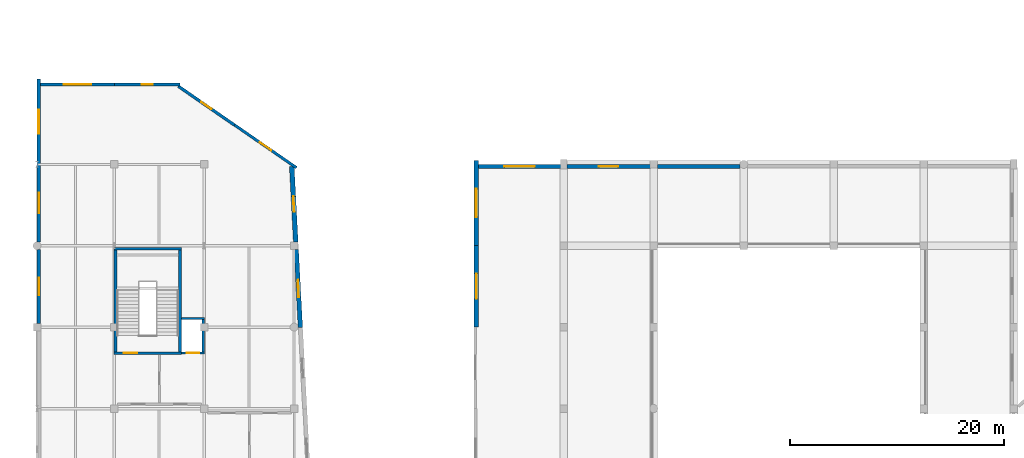
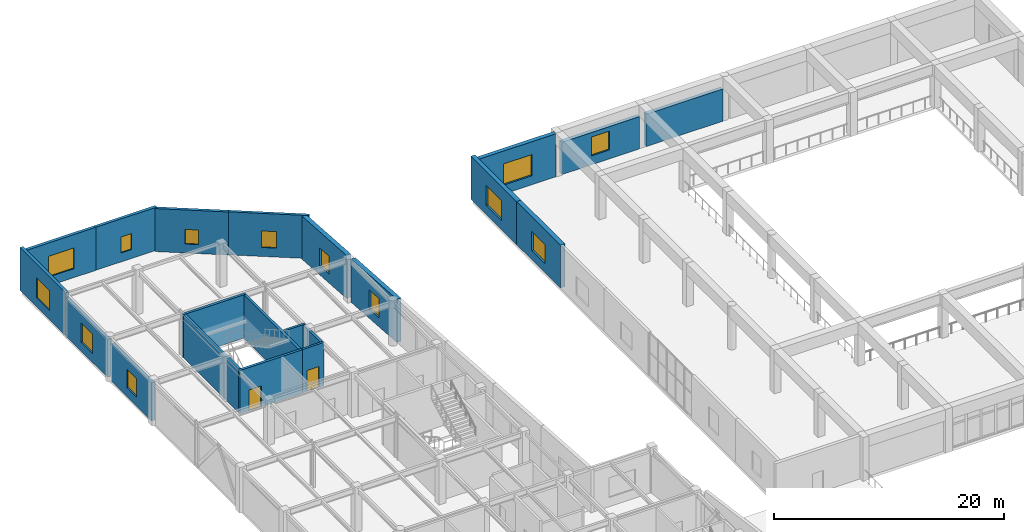
# One storey, part 65 of 72: 21 walls, 13 windows, 2 doors, 15 openings.
"""IFC4 building model written with IfcOpenShell, lengths in metres."""

from ifc_helpers import new_model, si_unit, direction, frame, frame_2d, origin, place, context, subcontext, project, spatial, rectangle, extrude, material, layer, layer_set, type_object, element, fill, save


model = new_model("IFC4")

# Units and contexts
model_context = context("Model", 3, precision=1e-05, world=origin(), true_north=direction((0.0, 1.0)))
body_context = subcontext(model_context, "Body", "Model", "MODEL_VIEW")
ifc_project = project(units=[si_unit("LENGTHUNIT", "METRE"), si_unit("AREAUNIT", "SQUARE_METRE"), si_unit("VOLUMEUNIT", "CUBIC_METRE"), si_unit("PLANEANGLEUNIT", "RADIAN"), si_unit("MASSUNIT", "GRAM", prefix="KILO")], contexts=[model_context])

# Site, building, storey
site_placement = place(None, origin())
site = spatial("IfcSite", under=ifc_project, at=site_placement, CompositionType="ELEMENT")
building_placement = place(site_placement, origin())
building = spatial("IfcBuilding", under=site, at=building_placement, Name="Xicomal Pleat Aquarium", CompositionType="ELEMENT")
storey_placement = place(building_placement, frame((0.0, 0.0, 10.5)))
storey = spatial("IfcBuildingStorey", under=building, at=storey_placement, Name="L03", CompositionType="ELEMENT", Elevation=10.5)

# Wall, opening, door
ifc_material_1 = material(Name="Concrete C40/50", Category="concrete")
ifc_layer_1 = layer(ifc_material_1, 0.219970703125)
ifc_layer_set_1 = layer_set([ifc_layer_1], Name="Concrete C40/50")
wall_type_1 = type_object("IfcWallType", Name="WAL-COR-220", PredefinedType="SHEAR", material=ifc_layer_set_1)
wall_1_placement = place(storey_placement, frame((16.5, 65.989990234375, 0.0), z_axis=(0.0, 0.0, 1.0), x_axis=(1.0, 0.0, 0.0)))
wall_1 = element("IfcWall", 1, at=wall_1_placement, inside=storey, type_object=wall_type_1, Name="L03 LF-03 lift shaft wall CW-L03-C3-LS", PredefinedType="SHEAR", context=body_context, shape_type="SweptSolid", body=[
    extrude(rectangle(XDim=2.1201171875, YDim=0.219970703125, at=frame_2d((1.06005859375, 0.0))), origin(), (0.0, 0.0, 1.0), 4.590087890625),
])
opening_1_placement = place(wall_1_placement, frame((0.4599609375, 0.0, 0.0)))
opening_1 = element("IfcOpeningElement", 2, at=opening_1_placement, cuts=wall_1, Name="Opening LD-03-L03", PredefinedType="OPENING", context=body_context, shape_type="SweptSolid", body=[
    extrude(rectangle(XDim=1.199951171875, YDim=2.199951171875, at=frame_2d((0.60009765625, 1.10009765625))), frame((0.0, 0.119873046875, 0.0), z_axis=(0.0, -1.0, 0.0), x_axis=(1.0, 0.0, 0.0)), (0.0, 0.0, 1.0), 0.239990234375),
])
ifc_material_2 = material(Name="Brushed stainless steel 304", Category="steel")
door_type_1 = type_object("IfcDoorType", Name="DOR-LD-1200x2200", OperationType="DOUBLE_DOOR_SLIDING", PredefinedType="DOOR", material=ifc_material_2)
door_1_placement = place(opening_1_placement, origin())
door_1 = element("IfcDoor", 3, at=door_1_placement, inside=storey, type_object=door_type_1, Name="L03 LF-03 sliding lift landing door", OperationType="DOUBLE_DOOR_SLIDING", OverallHeight=2.199951171875, OverallWidth=1.199951171875, PredefinedType="DOOR", context=body_context, shape_type="SweptSolid", body=[
    extrude(rectangle(XDim=1.199951171875, YDim=2.199951171875, at=frame_2d((0.60009765625, 1.10009765625))), frame((0.0, 0.02490234375, 0.0), z_axis=(0.0, -1.0, 0.0), x_axis=(1.0, 0.0, 0.0)), (0.0, 0.0, 1.0), 0.050048828125),
])
fill(opening_1, door_1)

# Walls
wall_2_placement = place(storey_placement, frame((16.5, 69.2099609375, 0.0), z_axis=(0.0, 0.0, 1.0), x_axis=(1.0, 0.0, 0.0)))
element("IfcWall", 4, at=wall_2_placement, inside=storey, type_object=wall_type_1, Name="L03 LF-03 lift shaft wall CW-L03-C3-LN", PredefinedType="SHEAR", context=body_context, shape_type="SweptSolid", body=[
    extrude(rectangle(XDim=2.1201171875, YDim=0.219970703125, at=frame_2d((1.06005859375, 0.0))), origin(), (0.0, 0.0, 1.0), 4.590087890625),
])
wall_3_placement = place(storey_placement, frame((18.510009765625, 66.10009765625, 0.0), z_axis=(0.0, 0.0, 1.0), x_axis=(0.0, 1.0, 0.0)))
element("IfcWall", 5, at=wall_3_placement, inside=storey, type_object=wall_type_1, Name="L03 LF-03 lift shaft wall CW-L03-C3-LE", PredefinedType="SHEAR", context=body_context, shape_type="SweptSolid", body=[
    extrude(rectangle(XDim=3.0, YDim=0.219970703125, at=frame_2d((1.5, 0.0))), origin(), (0.0, 0.0, 1.0), 4.590087890625),
])

# Wall, opening, door
ifc_material_3 = material(Name="Concrete C40/50", Category="concrete")
ifc_layer_2 = layer(ifc_material_3, 0.25)
ifc_layer_set_2 = layer_set([ifc_layer_2], Name="Concrete C40/50")
wall_type_2 = type_object("IfcWallType", Name="WAL-COR-250", PredefinedType="SHEAR", material=ifc_layer_set_2)
wall_4_placement = place(storey_placement, frame((10.18994140625, 65.97509765625, 0.0), z_axis=(0.0, 0.0, 1.0), x_axis=(1.0, 0.0, 0.0)))
wall_4 = element("IfcWall", 6, at=wall_4_placement, inside=storey, type_object=wall_type_2, Name="L03 CORE-3 stair shear wall CW-L03-C3-SS", PredefinedType="SHEAR", context=body_context, shape_type="SweptSolid", body=[
    extrude(rectangle(XDim=6.280029296875, YDim=0.25, at=frame_2d((3.14013671875, 0.0))), origin(), (0.0, 0.0, 1.0), 4.590087890625),
])
opening_2_placement = place(wall_4_placement, frame((0.89990234375, 0.0, 0.0)))
opening_2 = element("IfcOpeningElement", 7, at=opening_2_placement, cuts=wall_4, Name="Opening SD-03-L03", PredefinedType="OPENING", context=body_context, shape_type="SweptSolid", body=[
    extrude(rectangle(XDim=1.25, YDim=2.199951171875, at=frame_2d((0.625, 1.10009765625))), frame((0.0, 0.135009765625, 0.0), z_axis=(0.0, -1.0, 0.0), x_axis=(1.0, 0.0, 0.0)), (0.0, 0.0, 1.0), 0.27001953125),
])
ifc_material_4 = material(Name="Powder-coated steel fire door", Category="steel")
door_type_2 = type_object("IfcDoorType", Name="DOR-ST-1250x2200", OperationType="NOTDEFINED", PredefinedType="DOOR", material=ifc_material_4)
door_2_placement = place(opening_2_placement, origin())
door_2 = element("IfcDoor", 8, at=door_2_placement, inside=storey, type_object=door_type_2, Name="L03 ST-03 protected stair door", OperationType="SINGLE_SWING_LEFT", OverallHeight=2.199951171875, OverallWidth=1.25, PredefinedType="DOOR", context=body_context, shape_type="SweptSolid", body=[
    extrude(rectangle(XDim=1.25, YDim=2.199951171875, at=frame_2d((0.625, 1.10009765625))), frame((0.0, 0.02490234375, 0.0), z_axis=(0.0, -1.0, 0.0), x_axis=(1.0, 0.0, 0.0)), (0.0, 0.0, 1.0), 0.050048828125),
])
fill(opening_2, door_2)

# Walls
wall_5_placement = place(storey_placement, frame((10.18994140625, 75.72509765625, 0.0), z_axis=(0.0, 0.0, 1.0), x_axis=(1.0, 0.0, 0.0)))
element("IfcWall", 9, at=wall_5_placement, inside=storey, type_object=wall_type_2, Name="L03 CORE-3 stair shear wall CW-L03-C3-SN", PredefinedType="SHEAR", context=body_context, shape_type="SweptSolid", body=[
    extrude(rectangle(XDim=6.280029296875, YDim=0.25, at=frame_2d((3.14013671875, 0.0))), origin(), (0.0, 0.0, 1.0), 4.590087890625),
])
for number, where, z_axis, x_axis, name in (
    (10, (10.31494140625, 66.10009765625, 0.0), (0.0, 0.0, 1.0), (0.0, 1.0, 0.0), "L03 CORE-3 stair shear wall CW-L03-C3-SW"),
    (11, (16.344970703125, 66.10009765625, 0.0), (0.0, 0.0, 1.0), (0.0, 1.0, 0.0), "L03 CORE-3 stair shear wall CW-L03-C3-SE"),
):
    element("IfcWall", number, at=place(storey_placement, frame(where, z_axis=z_axis, x_axis=x_axis)), inside=storey, type_object=wall_type_2, Name=name, PredefinedType="SHEAR", context=body_context, shape_type="SweptSolid", body=[
        extrude(rectangle(XDim=9.5, YDim=0.25, at=frame_2d((4.75, 0.0))), origin(), (0.0, 0.0, 1.0), 4.590087890625),
    ])
ifc_material_5 = material(Name="Volcanic basalt recinto masonry and concrete C40/50", Category="masonry")
ifc_layer_3 = layer(ifc_material_5, 0.364990234375)
ifc_layer_set_3 = layer_set([ifc_layer_3], Name="Volcanic basalt recinto masonry and concrete C40/50")
wall_type_3 = type_object("IfcWallType", Name="WAL-EXT-BAS-365", PredefinedType="SOLIDWALL", material=ifc_layer_set_3)
wall_6_placement = place(storey_placement, frame((60.93505859375, 83.4169921875, 0.0), z_axis=(0.0, 0.0, 1.0), x_axis=(1.0, 0.0, 0.0)))
element("IfcWall", 12, at=wall_6_placement, inside=storey, type_object=wall_type_3, Name="L03 exterior basalt-precast wall EW-L03-053", PredefinedType="SOLIDWALL", context=body_context, shape_type="SweptSolid", body=[
    extrude(rectangle(XDim=7.704833984375, YDim=0.364990234375, at=frame_2d((3.8525390625, 0.0))), origin(), (0.0, 0.0, 1.0), 3.425048828125),
])

# Wall, opening, window
ifc_material_6 = material(Name="Volcanic basalt recinto masonry and concrete C40/50", Category="masonry")
ifc_layer_4 = layer(ifc_material_6, 0.3798828125)
ifc_layer_set_4 = layer_set([ifc_layer_4], Name="Volcanic basalt recinto masonry and concrete C40/50")
wall_type_4 = type_object("IfcWallType", Name="WAL-EXT-BAS-380", PredefinedType="SOLIDWALL", material=ifc_layer_set_4)
wall_7_placement = place(storey_placement, frame((52.485107421875, 83.409912109375, 0.0), z_axis=(0.0, 0.0, 1.0), x_axis=(1.0, 0.0, 0.0)))
wall_7 = element("IfcWall", 13, at=wall_7_placement, inside=storey, type_object=wall_type_4, Name="L03 exterior basalt-precast wall EW-L03-052", PredefinedType="SOLIDWALL", context=body_context, shape_type="SweptSolid", body=[
    extrude(rectangle(XDim=7.77978515625, YDim=0.3798828125, at=frame_2d((3.889892578125, 0.0))), origin(), (0.0, 0.0, 1.0), 3.425048828125),
])
opening_3_placement = place(wall_7_placement, frame((2.989990234375, 0.0, 0.949951171875)))
opening_3 = element("IfcOpeningElement", 14, at=opening_3_placement, cuts=wall_7, Name="Opening WN-03", PredefinedType="OPENING", context=body_context, shape_type="SweptSolid", body=[
    extrude(rectangle(XDim=1.800048828125, YDim=2.0, at=frame_2d((0.89990234375, 1.0))), frame((0.0, 0.199951171875, 0.0), z_axis=(0.0, -1.0, 0.0), x_axis=(1.0, 0.0, 0.0)), (0.0, 0.0, 1.0), 0.39990234375),
])
ifc_material_7 = material(Name="Insulated low-E laminated glass", Category="glass")
window_type_1 = type_object("IfcWindowType", Name="WIN-EXT-1800x2000", PartitioningType="DOUBLE_PANEL_VERTICAL", PredefinedType="WINDOW", material=ifc_material_7)
window_1_placement = place(opening_3_placement, origin())
window_1 = element("IfcWindow", 15, at=window_1_placement, inside=storey, type_object=window_type_1, Name="L03 thermally broken low-E window 25", OverallHeight=2.0, OverallWidth=1.800048828125, PartitioningType="SINGLE_PANEL", PredefinedType="WINDOW", context=body_context, shape_type="SweptSolid", body=[
    extrude(rectangle(XDim=1.800048828125, YDim=2.0, at=frame_2d((0.89990234375, 1.0))), frame((0.0, 0.030029296875, 0.0), z_axis=(0.0, -1.0, 0.0), x_axis=(1.0, 0.0, 0.0)), (0.0, 0.0, 1.0), 0.06005859375),
])
fill(opening_3, window_1)

ifc_material_8 = material(Name="Volcanic basalt recinto masonry and concrete C40/50", Category="masonry")
ifc_layer_5 = layer(ifc_material_8, 0.39990234375)
ifc_layer_set_5 = layer_set([ifc_layer_5], Name="Volcanic basalt recinto masonry and concrete C40/50")
wall_type_5 = type_object("IfcWallType", Name="WAL-EXT-BAS-400", PredefinedType="SOLIDWALL", material=ifc_layer_set_5)
wall_8_placement = place(storey_placement, frame((44.22509765625, 83.39990234375, 0.0), z_axis=(0.0, 0.0, 1.0), x_axis=(1.0, 0.0, 0.0)))
wall_8 = element("IfcWall", 16, at=wall_8_placement, inside=storey, type_object=wall_type_5, Name="L03 exterior basalt-precast wall EW-L03-051B", PredefinedType="SOLIDWALL", context=body_context, shape_type="SweptSolid", body=[
    extrude(rectangle(XDim=7.68994140625, YDim=0.39990234375, at=frame_2d((3.844970703125, 0.0))), origin(), (0.0, 0.0, 1.0), 4.56005859375),
])
opening_4_placement = place(wall_8_placement, frame((2.419921875, 0.0, 0.949951171875)))
opening_4 = element("IfcOpeningElement", 17, at=opening_4_placement, cuts=wall_8, Name="Opening WN-24", PredefinedType="OPENING", context=body_context, shape_type="SweptSolid", body=[
    extrude(rectangle(XDim=2.85009765625, YDim=2.25, at=frame_2d((1.425048828125, 1.125))), frame((0.0, 0.2099609375, 0.0), z_axis=(0.0, -1.0, 0.0), x_axis=(1.0, 0.0, 0.0)), (0.0, 0.0, 1.0), 0.419921875),
])
ifc_material_9 = material(Name="Insulated low-E laminated glass", Category="glass")
window_type_2 = type_object("IfcWindowType", Name="WIN-EXT-2850x2250", PartitioningType="DOUBLE_PANEL_VERTICAL", PredefinedType="WINDOW", material=ifc_material_9)
window_2_placement = place(opening_4_placement, origin())
window_2 = element("IfcWindow", 18, at=window_2_placement, inside=storey, type_object=window_type_2, Name="L03 thermally broken low-E window 24", OverallHeight=2.25, OverallWidth=2.85009765625, PartitioningType="SINGLE_PANEL", PredefinedType="WINDOW", context=body_context, shape_type="SweptSolid", body=[
    extrude(rectangle(XDim=2.85009765625, YDim=2.25, at=frame_2d((1.425048828125, 1.125))), frame((0.0, 0.030029296875, 0.0), z_axis=(0.0, -1.0, 0.0), x_axis=(1.0, 0.0, 0.0)), (0.0, 0.0, 1.0), 0.06005859375),
])
fill(opening_4, window_2)

ifc_material_10 = material(Name="Volcanic basalt recinto masonry and concrete C40/50", Category="masonry")
ifc_layer_6 = layer(ifc_material_10, 0.419921875)
ifc_layer_set_6 = layer_set([ifc_layer_6], Name="Volcanic basalt recinto masonry and concrete C40/50")
wall_type_6 = type_object("IfcWallType", Name="WAL-EXT-BAS-420", PredefinedType="SOLIDWALL", material=ifc_layer_set_6)
wall_9_placement = place(storey_placement, frame((44.010009765625, 76.02001953125, 0.0), z_axis=(0.0, 0.0, 1.0), x_axis=(0.0, 1.0, 0.0)))
wall_9 = element("IfcWall", 19, at=wall_9_placement, inside=storey, type_object=wall_type_6, Name="L03 exterior basalt-precast wall EW-L03-050", PredefinedType="SOLIDWALL", context=body_context, shape_type="SweptSolid", body=[
    extrude(rectangle(XDim=7.93994140625, YDim=0.419921875, at=frame_2d((3.969970703125, 0.0))), origin(), (0.0, 0.0, 1.0), 4.56005859375),
])
opening_5_placement = place(wall_9_placement, frame((2.64501953125, 0.0, 0.949951171875)))
opening_5 = element("IfcOpeningElement", 20, at=opening_5_placement, cuts=wall_9, Name="Opening WN-23", PredefinedType="OPENING", context=body_context, shape_type="SweptSolid", body=[
    extrude(rectangle(XDim=2.64990234375, YDim=2.10009765625, at=frame_2d((1.324951171875, 1.050048828125))), frame((0.0, 0.219970703125, 0.0), z_axis=(0.0, -1.0, 0.0), x_axis=(1.0, 0.0, 0.0)), (0.0, 0.0, 1.0), 0.43994140625),
])
ifc_material_11 = material(Name="Insulated low-E laminated glass", Category="glass")
window_type_3 = type_object("IfcWindowType", Name="WIN-EXT-2650x2100", PartitioningType="DOUBLE_PANEL_VERTICAL", PredefinedType="WINDOW", material=ifc_material_11)
window_3_placement = place(opening_5_placement, origin())
window_3 = element("IfcWindow", 21, at=window_3_placement, inside=storey, type_object=window_type_3, Name="L03 thermally broken low-E window 23", OverallHeight=2.10009765625, OverallWidth=2.64990234375, PartitioningType="SINGLE_PANEL", PredefinedType="WINDOW", context=body_context, shape_type="SweptSolid", body=[
    extrude(rectangle(XDim=2.64990234375, YDim=2.10009765625, at=frame_2d((1.324951171875, 1.050048828125))), frame((0.0, 0.030029296875, 0.0), z_axis=(0.0, -1.0, 0.0), x_axis=(1.0, 0.0, 0.0)), (0.0, 0.0, 1.0), 0.06005859375),
])
fill(opening_5, window_3)

wall_10_placement = place(storey_placement, frame((27.208984375, 75.636962890625, 0.0), z_axis=(0.0, 0.0, 1.0), x_axis=(0.05249721114, -0.998621070688, 0.0)))
wall_10 = element("IfcWall", 22, at=wall_10_placement, inside=storey, type_object=wall_type_6, Name="L03 exterior basalt-precast wall EW-L03-076", PredefinedType="SOLIDWALL", context=body_context, shape_type="SweptSolid", body=[
    extrude(rectangle(XDim=7.278076171875, YDim=0.419921875, at=frame_2d((3.63916015625, 0.0))), origin(), (0.0, 0.0, 1.0), 4.590087890625),
])
opening_6_placement = place(wall_10_placement, frame((2.839111328125, 0.0, 0.949951171875)))
opening_6 = element("IfcOpeningElement", 23, at=opening_6_placement, cuts=wall_10, Name="Opening WN-18", PredefinedType="OPENING", context=body_context, shape_type="SweptSolid", body=[
    extrude(rectangle(XDim=1.60009765625, YDim=2.050048828125, at=frame_2d((0.800048828125, 1.02490234375))), frame((0.0, 0.219970703125, 0.0), z_axis=(0.0, -1.0, 0.0), x_axis=(1.0, 0.0, 0.0)), (0.0, 0.0, 1.0), 0.43994140625),
])
ifc_material_12 = material(Name="Insulated low-E laminated glass", Category="glass")
window_type_4 = type_object("IfcWindowType", Name="WIN-EXT-1600x2050", PartitioningType="SINGLE_PANEL", PredefinedType="WINDOW", material=ifc_material_12)
window_4_placement = place(opening_6_placement, origin())
window_4 = element("IfcWindow", 24, at=window_4_placement, inside=storey, type_object=window_type_4, Name="L03 thermally broken low-E window 42", OverallHeight=2.050048828125, OverallWidth=1.60009765625, PartitioningType="SINGLE_PANEL", PredefinedType="WINDOW", context=body_context, shape_type="SweptSolid", body=[
    extrude(rectangle(XDim=1.60009765625, YDim=2.050048828125, at=frame_2d((0.800048828125, 1.02490234375))), frame((0.0, 0.030029296875, 0.0), z_axis=(0.0, -1.0, 0.0), x_axis=(1.0, 0.0, 0.0)), (0.0, 0.0, 1.0), 0.06005859375),
])
fill(opening_6, window_4)

ifc_material_13 = material(Name="Volcanic basalt recinto masonry and concrete C40/50", Category="masonry")
ifc_layer_7 = layer(ifc_material_13, 0.445068359375)
ifc_layer_set_7 = layer_set([ifc_layer_7], Name="Volcanic basalt recinto masonry and concrete C40/50")
wall_type_7 = type_object("IfcWallType", Name="WAL-EXT-BAS-445", PredefinedType="SOLIDWALL", material=ifc_layer_set_7)
wall_11_placement = place(storey_placement, frame((44.02197265625, 68.419921875, 0.0), z_axis=(0.0, 0.0, 1.0), x_axis=(0.0, 1.0, 0.0)))
wall_11 = element("IfcWall", 25, at=wall_11_placement, inside=storey, type_object=wall_type_7, Name="L03 exterior basalt-precast wall EW-L03-049", PredefinedType="SOLIDWALL", context=body_context, shape_type="SweptSolid", body=[
    extrude(rectangle(XDim=7.60009765625, YDim=0.445068359375, at=frame_2d((3.800048828125, 0.0))), origin(), (0.0, 0.0, 1.0), 4.56005859375),
])
opening_7_placement = place(wall_11_placement, frame((2.625, 0.0, 0.949951171875)))
opening_7 = element("IfcOpeningElement", 26, at=opening_7_placement, cuts=wall_11, Name="Opening WN-22", PredefinedType="OPENING", context=body_context, shape_type="SweptSolid", body=[
    extrude(rectangle(XDim=2.35009765625, YDim=2.050048828125, at=frame_2d((1.175048828125, 1.02490234375))), frame((0.0, 0.232421875, 0.0), z_axis=(0.0, -1.0, 0.0), x_axis=(1.0, 0.0, 0.0)), (0.0, 0.0, 1.0), 0.465087890625),
])
ifc_material_14 = material(Name="Insulated low-E laminated glass", Category="glass")
window_type_5 = type_object("IfcWindowType", Name="WIN-EXT-2350x2050", PartitioningType="DOUBLE_PANEL_VERTICAL", PredefinedType="WINDOW", material=ifc_material_14)
window_5_placement = place(opening_7_placement, origin())
window_5 = element("IfcWindow", 27, at=window_5_placement, inside=storey, type_object=window_type_5, Name="L03 thermally broken low-E window 22", OverallHeight=2.050048828125, OverallWidth=2.35009765625, PartitioningType="SINGLE_PANEL", PredefinedType="WINDOW", context=body_context, shape_type="SweptSolid", body=[
    extrude(rectangle(XDim=2.35009765625, YDim=2.050048828125, at=frame_2d((1.175048828125, 1.02490234375))), frame((0.0, 0.030029296875, 0.0), z_axis=(0.0, -1.0, 0.0), x_axis=(1.0, 0.0, 0.0)), (0.0, 0.0, 1.0), 0.06005859375),
])
fill(opening_7, window_5)

wall_12_placement = place(storey_placement, frame((26.787109375, 83.425048828125, 0.0), z_axis=(0.0, 0.0, 1.0), x_axis=(0.052416128254, -0.99862532989, 0.0)))
wall_12 = element("IfcWall", 28, at=wall_12_placement, inside=storey, type_object=wall_type_7, Name="L03 exterior basalt-precast wall EW-L03-075B", PredefinedType="SOLIDWALL", context=body_context, shape_type="SweptSolid", body=[
    extrude(rectangle(XDim=7.09375, YDim=0.445068359375, at=frame_2d((3.546875, 0.0))), origin(), (0.0, 0.0, 1.0), 4.56005859375),
])
opening_8_placement = place(wall_12_placement, frame((2.822021484375, 0.0, 0.949951171875)))
opening_8 = element("IfcOpeningElement", 29, at=opening_8_placement, cuts=wall_12, Name="Opening WN-17", PredefinedType="OPENING", context=body_context, shape_type="SweptSolid", body=[
    extrude(rectangle(XDim=1.449951171875, YDim=1.89990234375, at=frame_2d((0.72509765625, 0.949951171875))), frame((0.0, 0.232421875, 0.0), z_axis=(0.0, -1.0, 0.0), x_axis=(1.0, 0.0, 0.0)), (0.0, 0.0, 1.0), 0.465087890625),
])
ifc_material_15 = material(Name="Insulated low-E laminated glass", Category="glass")
window_type_6 = type_object("IfcWindowType", Name="WIN-EXT-1450x1900", PartitioningType="SINGLE_PANEL", PredefinedType="WINDOW", material=ifc_material_15)
window_6_placement = place(opening_8_placement, origin())
window_6 = element("IfcWindow", 30, at=window_6_placement, inside=storey, type_object=window_type_6, Name="L03 thermally broken low-E window 41", OverallHeight=1.89990234375, OverallWidth=1.449951171875, PartitioningType="SINGLE_PANEL", PredefinedType="WINDOW", context=body_context, shape_type="SweptSolid", body=[
    extrude(rectangle(XDim=1.449951171875, YDim=1.89990234375, at=frame_2d((0.72509765625, 0.949951171875))), frame((0.0, 0.030029296875, 0.0), z_axis=(0.0, -1.0, 0.0), x_axis=(1.0, 0.0, 0.0)), (0.0, 0.0, 1.0), 0.06005859375),
])
fill(opening_8, window_6)

ifc_material_16 = material(Name="Precast concrete C40/50", Category="concrete")
ifc_layer_8 = layer(ifc_material_16, 0.260009765625)
ifc_layer_set_8 = layer_set([ifc_layer_8], Name="Precast concrete C40/50")
wall_type_8 = type_object("IfcWallType", Name="WAL-EXT-PRC-260", PredefinedType="SOLIDWALL", material=ifc_layer_set_8)
wall_13_placement = place(storey_placement, frame((21.443115234375, 87.281005859375, 0.0), z_axis=(0.0, 0.0, 1.0), x_axis=(0.822711127254, -0.568459674112, 0.0)))
wall_13 = element("IfcWall", 31, at=wall_13_placement, inside=storey, type_object=wall_type_8, Name="L03 exterior basalt-precast wall EW-L03-074", PredefinedType="SOLIDWALL", context=body_context, shape_type="SweptSolid", body=[
    extrude(rectangle(XDim=7.024169921875, YDim=0.260009765625, at=frame_2d((3.51220703125, 0.0))), origin(), (0.0, 0.0, 1.0), 4.56005859375),
])
opening_9_placement = place(wall_13_placement, frame((2.862060546875, 0.0, 0.949951171875)))
opening_9 = element("IfcOpeningElement", 32, at=opening_9_placement, cuts=wall_13, Name="Opening WN-16", PredefinedType="OPENING", context=body_context, shape_type="SweptSolid", body=[
    extrude(rectangle(XDim=1.300048828125, YDim=1.75, at=frame_2d((0.64990234375, 0.875))), frame((0.0, 0.139892578125, 0.0), z_axis=(0.0, -1.0, 0.0), x_axis=(1.0, 0.0, 0.0)), (0.0, 0.0, 1.0), 0.280029296875),
])
ifc_material_17 = material(Name="Insulated low-E laminated glass", Category="glass")
window_type_7 = type_object("IfcWindowType", Name="WIN-EXT-1300x1750", PartitioningType="SINGLE_PANEL", PredefinedType="WINDOW", material=ifc_material_17)
window_7_placement = place(opening_9_placement, origin())
window_7 = element("IfcWindow", 33, at=window_7_placement, inside=storey, type_object=window_type_7, Name="L03 thermally broken low-E window 40", OverallHeight=1.75, OverallWidth=1.300048828125, PartitioningType="SINGLE_PANEL", PredefinedType="WINDOW", context=body_context, shape_type="SweptSolid", body=[
    extrude(rectangle(XDim=1.300048828125, YDim=1.75, at=frame_2d((0.64990234375, 0.875))), frame((0.0, 0.030029296875, 0.0), z_axis=(0.0, -1.0, 0.0), x_axis=(1.0, 0.0, 0.0)), (0.0, 0.0, 1.0), 0.06005859375),
])
fill(opening_9, window_7)

ifc_material_18 = material(Name="Precast concrete C40/50", Category="concrete")
ifc_layer_9 = layer(ifc_material_18, 0.280029296875)
ifc_layer_set_9 = layer_set([ifc_layer_9], Name="Precast concrete C40/50")
wall_type_9 = type_object("IfcWallType", Name="WAL-EXT-PRC-280", PredefinedType="SOLIDWALL", material=ifc_layer_set_9)
wall_14_placement = place(storey_placement, frame((16.179931640625, 90.905029296875, 0.0), z_axis=(0.0, 0.0, 1.0), x_axis=(0.822736510857, -0.568422935588, 0.0)))
wall_14 = element("IfcWall", 34, at=wall_14_placement, inside=storey, type_object=wall_type_9, Name="L03 exterior basalt-precast wall EW-L03-073B", PredefinedType="SOLIDWALL", context=body_context, shape_type="SweptSolid", body=[
    extrude(rectangle(XDim=6.3896484375, YDim=0.280029296875, at=frame_2d((3.19482421875, 0.0))), origin(), (0.0, 0.0, 1.0), 4.56005859375),
])
opening_10_placement = place(wall_14_placement, frame((2.6201171875, 0.0, 0.949951171875)))
opening_10 = element("IfcOpeningElement", 35, at=opening_10_placement, cuts=wall_14, Name="Opening WN-15", PredefinedType="OPENING", context=body_context, shape_type="SweptSolid", body=[
    extrude(rectangle(XDim=1.14990234375, YDim=1.550048828125, at=frame_2d((0.574951171875, 0.77490234375))), frame((0.0, 0.14990234375, 0.0), z_axis=(0.0, -1.0, 0.0), x_axis=(1.0, 0.0, 0.0)), (0.0, 0.0, 1.0), 0.300048828125),
])
ifc_material_19 = material(Name="Insulated low-E laminated glass", Category="glass")
window_type_8 = type_object("IfcWindowType", Name="WIN-EXT-1150x1550", PartitioningType="SINGLE_PANEL", PredefinedType="WINDOW", material=ifc_material_19)
window_8_placement = place(opening_10_placement, origin())
window_8 = element("IfcWindow", 36, at=window_8_placement, inside=storey, type_object=window_type_8, Name="L03 thermally broken low-E window 39", OverallHeight=1.550048828125, OverallWidth=1.14990234375, PartitioningType="SINGLE_PANEL", PredefinedType="WINDOW", context=body_context, shape_type="SweptSolid", body=[
    extrude(rectangle(XDim=1.14990234375, YDim=1.550048828125, at=frame_2d((0.574951171875, 0.77490234375))), frame((0.0, 0.030029296875, 0.0), z_axis=(0.0, -1.0, 0.0), x_axis=(1.0, 0.0, 0.0)), (0.0, 0.0, 1.0), 0.06005859375),
])
fill(opening_10, window_8)

ifc_material_20 = material(Name="Precast concrete C40/50", Category="concrete")
ifc_layer_10 = layer(ifc_material_20, 0.2900390625)
ifc_layer_set_10 = layer_set([ifc_layer_10], Name="Precast concrete C40/50")
wall_type_10 = type_object("IfcWallType", Name="WAL-EXT-PRC-290", PredefinedType="SOLIDWALL", material=ifc_layer_set_10)
wall_15_placement = place(storey_placement, frame((10.219970703125, 91.054931640625, 0.0), z_axis=(0.0, 0.0, 1.0), x_axis=(1.0, 0.0, 0.0)))
wall_15 = element("IfcWall", 37, at=wall_15_placement, inside=storey, type_object=wall_type_10, Name="L03 exterior basalt-precast wall EW-L03-072", PredefinedType="SOLIDWALL", context=body_context, shape_type="SweptSolid", body=[
    extrude(rectangle(XDim=6.14013671875, YDim=0.2900390625, at=frame_2d((3.070068359375, 0.0))), origin(), (0.0, 0.0, 1.0), 4.56005859375),
])
opening_11_placement = place(wall_15_placement, frame((2.544921875, 0.0, 0.949951171875)))
opening_11 = element("IfcOpeningElement", 38, at=opening_11_placement, cuts=wall_15, Name="Opening WN-14", PredefinedType="OPENING", context=body_context, shape_type="SweptSolid", body=[
    extrude(rectangle(XDim=1.050048828125, YDim=1.699951171875, at=frame_2d((0.52490234375, 0.85009765625))), frame((0.0, 0.155029296875, 0.0), z_axis=(0.0, -1.0, 0.0), x_axis=(1.0, 0.0, 0.0)), (0.0, 0.0, 1.0), 0.31005859375),
])
ifc_material_21 = material(Name="Insulated low-E laminated glass", Category="glass")
window_type_9 = type_object("IfcWindowType", Name="WIN-EXT-1050x1700", PartitioningType="SINGLE_PANEL", PredefinedType="WINDOW", material=ifc_material_21)
window_9_placement = place(opening_11_placement, origin())
window_9 = element("IfcWindow", 39, at=window_9_placement, inside=storey, type_object=window_type_9, Name="L03 thermally broken low-E window 38", OverallHeight=1.699951171875, OverallWidth=1.050048828125, PartitioningType="SINGLE_PANEL", PredefinedType="WINDOW", context=body_context, shape_type="SweptSolid", body=[
    extrude(rectangle(XDim=1.050048828125, YDim=1.699951171875, at=frame_2d((0.52490234375, 0.85009765625))), frame((0.0, 0.030029296875, 0.0), z_axis=(0.0, -1.0, 0.0), x_axis=(1.0, 0.0, 0.0)), (0.0, 0.0, 1.0), 0.06005859375),
])
fill(opening_11, window_9)

ifc_material_22 = material(Name="Precast concrete C40/50", Category="concrete")
ifc_layer_11 = layer(ifc_material_22, 0.300048828125)
ifc_layer_set_11 = layer_set([ifc_layer_11], Name="Precast concrete C40/50")
wall_type_11 = type_object("IfcWallType", Name="WAL-EXT-PRC-300", PredefinedType="SOLIDWALL", material=ifc_layer_set_11)
wall_16_placement = place(storey_placement, frame((3.31689453125, 91.050048828125, 0.0), z_axis=(0.0, 0.0, 1.0), x_axis=(1.0, 0.0, 0.0)))
wall_16 = element("IfcWall", 40, at=wall_16_placement, inside=storey, type_object=wall_type_11, Name="L03 exterior basalt-precast wall EW-L03-071B", PredefinedType="SOLIDWALL", context=body_context, shape_type="SweptSolid", body=[
    extrude(rectangle(XDim=6.903076171875, YDim=0.300048828125, at=frame_2d((3.45166015625, 0.0))), origin(), (0.0, 0.0, 1.0), 4.56005859375),
])
opening_12_placement = place(wall_16_placement, frame((2.177001953125, 0.0, 0.949951171875)))
opening_12 = element("IfcOpeningElement", 41, at=opening_12_placement, cuts=wall_16, Name="Opening WN-13", PredefinedType="OPENING", context=body_context, shape_type="SweptSolid", body=[
    extrude(rectangle(XDim=2.550048828125, YDim=2.199951171875, at=frame_2d((1.27490234375, 1.10009765625))), frame((0.0, 0.159912109375, 0.0), z_axis=(0.0, -1.0, 0.0), x_axis=(1.0, 0.0, 0.0)), (0.0, 0.0, 1.0), 0.320068359375),
])
ifc_material_23 = material(Name="Insulated low-E laminated glass", Category="glass")
window_type_10 = type_object("IfcWindowType", Name="WIN-EXT-2550x2200", PartitioningType="DOUBLE_PANEL_VERTICAL", PredefinedType="WINDOW", material=ifc_material_23)
window_10_placement = place(opening_12_placement, origin())
window_10 = element("IfcWindow", 42, at=window_10_placement, inside=storey, type_object=window_type_10, Name="L03 thermally broken low-E window 37", OverallHeight=2.199951171875, OverallWidth=2.550048828125, PartitioningType="SINGLE_PANEL", PredefinedType="WINDOW", context=body_context, shape_type="SweptSolid", body=[
    extrude(rectangle(XDim=2.550048828125, YDim=2.199951171875, at=frame_2d((1.27490234375, 1.10009765625))), frame((0.0, 0.030029296875, 0.0), z_axis=(0.0, -1.0, 0.0), x_axis=(1.0, 0.0, 0.0)), (0.0, 0.0, 1.0), 0.06005859375),
])
fill(opening_12, window_10)

ifc_material_24 = material(Name="Precast concrete C40/50", Category="concrete")
ifc_layer_12 = layer(ifc_material_24, 0.31201171875)
ifc_layer_set_12 = layer_set([ifc_layer_12], Name="Precast concrete C40/50")
wall_type_12 = type_object("IfcWallType", Name="WAL-EXT-PRC-312", PredefinedType="SOLIDWALL", material=ifc_layer_set_12)
wall_17_placement = place(storey_placement, frame((3.156005859375, 83.6201171875, 0.0), z_axis=(0.0, 0.0, 1.0), x_axis=(0.0, 1.0, 0.0)))
wall_17 = element("IfcWall", 43, at=wall_17_placement, inside=storey, type_object=wall_type_12, Name="L03 exterior basalt-precast wall EW-L03-070", PredefinedType="SOLIDWALL", context=body_context, shape_type="SweptSolid", body=[
    extrude(rectangle(XDim=7.93994140625, YDim=0.31201171875, at=frame_2d((3.969970703125, 0.0))), origin(), (0.0, 0.0, 1.0), 4.56005859375),
])
opening_13_placement = place(wall_17_placement, frame((2.844970703125, 0.0, 0.949951171875)))
opening_13 = element("IfcOpeningElement", 44, at=opening_13_placement, cuts=wall_17, Name="Opening WN-12", PredefinedType="OPENING", context=body_context, shape_type="SweptSolid", body=[
    extrude(rectangle(XDim=2.25, YDim=2.14990234375, at=frame_2d((1.125, 1.074951171875))), frame((0.0, 0.166015625, 0.0), z_axis=(0.0, -1.0, 0.0), x_axis=(1.0, 0.0, 0.0)), (0.0, 0.0, 1.0), 0.33203125),
])
ifc_material_25 = material(Name="Insulated low-E laminated glass", Category="glass")
window_type_11 = type_object("IfcWindowType", Name="WIN-EXT-2250x2150", PartitioningType="DOUBLE_PANEL_VERTICAL", PredefinedType="WINDOW", material=ifc_material_25)
window_11_placement = place(opening_13_placement, origin())
window_11 = element("IfcWindow", 45, at=window_11_placement, inside=storey, type_object=window_type_11, Name="L03 thermally broken low-E window 36", OverallHeight=2.14990234375, OverallWidth=2.25, PartitioningType="SINGLE_PANEL", PredefinedType="WINDOW", context=body_context, shape_type="SweptSolid", body=[
    extrude(rectangle(XDim=2.25, YDim=2.14990234375, at=frame_2d((1.125, 1.074951171875))), frame((0.0, 0.030029296875, 0.0), z_axis=(0.0, -1.0, 0.0), x_axis=(1.0, 0.0, 0.0)), (0.0, 0.0, 1.0), 0.06005859375),
])
fill(opening_13, window_11)

ifc_material_26 = material(Name="Precast concrete C40/50", Category="concrete")
ifc_layer_13 = layer(ifc_material_26, 0.324951171875)
ifc_layer_set_13 = layer_set([ifc_layer_13], Name="Precast concrete C40/50")
wall_type_13 = type_object("IfcWallType", Name="WAL-EXT-PRC-325", PredefinedType="SOLIDWALL", material=ifc_layer_set_13)
wall_18_placement = place(storey_placement, frame((3.1630859375, 76.360107421875, 0.0), z_axis=(0.0, 0.0, 1.0), x_axis=(0.0, 1.0, 0.0)))
wall_18 = element("IfcWall", 46, at=wall_18_placement, inside=storey, type_object=wall_type_13, Name="L03 exterior basalt-precast wall EW-L03-069", PredefinedType="SOLIDWALL", context=body_context, shape_type="SweptSolid", body=[
    extrude(rectangle(XDim=7.260009765625, YDim=0.324951171875, at=frame_2d((3.6298828125, 0.0))), origin(), (0.0, 0.0, 1.0), 4.041015625),
])
opening_14_placement = place(wall_18_placement, frame((2.655029296875, 0.0, 0.949951171875)))
opening_14 = element("IfcOpeningElement", 47, at=opening_14_placement, cuts=wall_18, Name="Opening WN-11", PredefinedType="OPENING", context=body_context, shape_type="SweptSolid", body=[
    extrude(rectangle(XDim=1.949951171875, YDim=2.050048828125, at=frame_2d((0.97509765625, 1.02490234375))), frame((0.0, 0.17236328125, 0.0), z_axis=(0.0, -1.0, 0.0), x_axis=(1.0, 0.0, 0.0)), (0.0, 0.0, 1.0), 0.344970703125),
])
ifc_material_27 = material(Name="Insulated low-E laminated glass", Category="glass")
window_type_12 = type_object("IfcWindowType", Name="WIN-EXT-1950x2050", PartitioningType="DOUBLE_PANEL_VERTICAL", PredefinedType="WINDOW", material=ifc_material_27)
window_12_placement = place(opening_14_placement, origin())
window_12 = element("IfcWindow", 48, at=window_12_placement, inside=storey, type_object=window_type_12, Name="L03 thermally broken low-E window 35", OverallHeight=2.050048828125, OverallWidth=1.949951171875, PartitioningType="SINGLE_PANEL", PredefinedType="WINDOW", context=body_context, shape_type="SweptSolid", body=[
    extrude(rectangle(XDim=1.949951171875, YDim=2.050048828125, at=frame_2d((0.97509765625, 1.02490234375))), frame((0.0, 0.030029296875, 0.0), z_axis=(0.0, -1.0, 0.0), x_axis=(1.0, 0.0, 0.0)), (0.0, 0.0, 1.0), 0.06005859375),
])
fill(opening_14, window_12)

ifc_material_28 = material(Name="Precast concrete C40/50", Category="concrete")
ifc_layer_14 = layer(ifc_material_28, 0.340087890625)
ifc_layer_set_14 = layer_set([ifc_layer_14], Name="Precast concrete C40/50")
wall_type_14 = type_object("IfcWallType", Name="WAL-EXT-PRC-340", PredefinedType="SOLIDWALL", material=ifc_layer_set_14)
wall_19_placement = place(storey_placement, frame((3.169921875, 68.735107421875, 0.0), z_axis=(0.0, 0.0, 1.0), x_axis=(0.0, 1.0, 0.0)))
wall_19 = element("IfcWall", 49, at=wall_19_placement, inside=storey, type_object=wall_type_14, Name="L03 exterior basalt-precast wall EW-L03-068", PredefinedType="SOLIDWALL", context=body_context, shape_type="SweptSolid", body=[
    extrude(rectangle(XDim=6.90478515625, YDim=0.340087890625, at=frame_2d((3.452392578125, 0.0))), origin(), (0.0, 0.0, 1.0), 4.041015625),
])
opening_15_placement = place(wall_19_placement, frame((2.6279296875, 0.0, 0.949951171875)))
opening_15 = element("IfcOpeningElement", 50, at=opening_15_placement, cuts=wall_19, Name="Opening WN-10", PredefinedType="OPENING", context=body_context, shape_type="SweptSolid", body=[
    extrude(rectangle(XDim=1.64990234375, YDim=1.949951171875, at=frame_2d((0.824951171875, 0.97509765625))), frame((0.0, 0.179931640625, 0.0), z_axis=(0.0, -1.0, 0.0), x_axis=(1.0, 0.0, 0.0)), (0.0, 0.0, 1.0), 0.360107421875),
])
ifc_material_29 = material(Name="Insulated low-E laminated glass", Category="glass")
window_type_13 = type_object("IfcWindowType", Name="WIN-EXT-1650x1950", PartitioningType="SINGLE_PANEL", PredefinedType="WINDOW", material=ifc_material_29)
window_13_placement = place(opening_15_placement, origin())
window_13 = element("IfcWindow", 51, at=window_13_placement, inside=storey, type_object=window_type_13, Name="L03 thermally broken low-E window 34", OverallHeight=1.949951171875, OverallWidth=1.64990234375, PartitioningType="SINGLE_PANEL", PredefinedType="WINDOW", context=body_context, shape_type="SweptSolid", body=[
    extrude(rectangle(XDim=1.64990234375, YDim=1.949951171875, at=frame_2d((0.824951171875, 0.97509765625))), frame((0.0, 0.030029296875, 0.0), z_axis=(0.0, -1.0, 0.0), x_axis=(1.0, 0.0, 0.0)), (0.0, 0.0, 1.0), 0.06005859375),
])
fill(opening_15, window_13)

save(model, "model.ifc")
